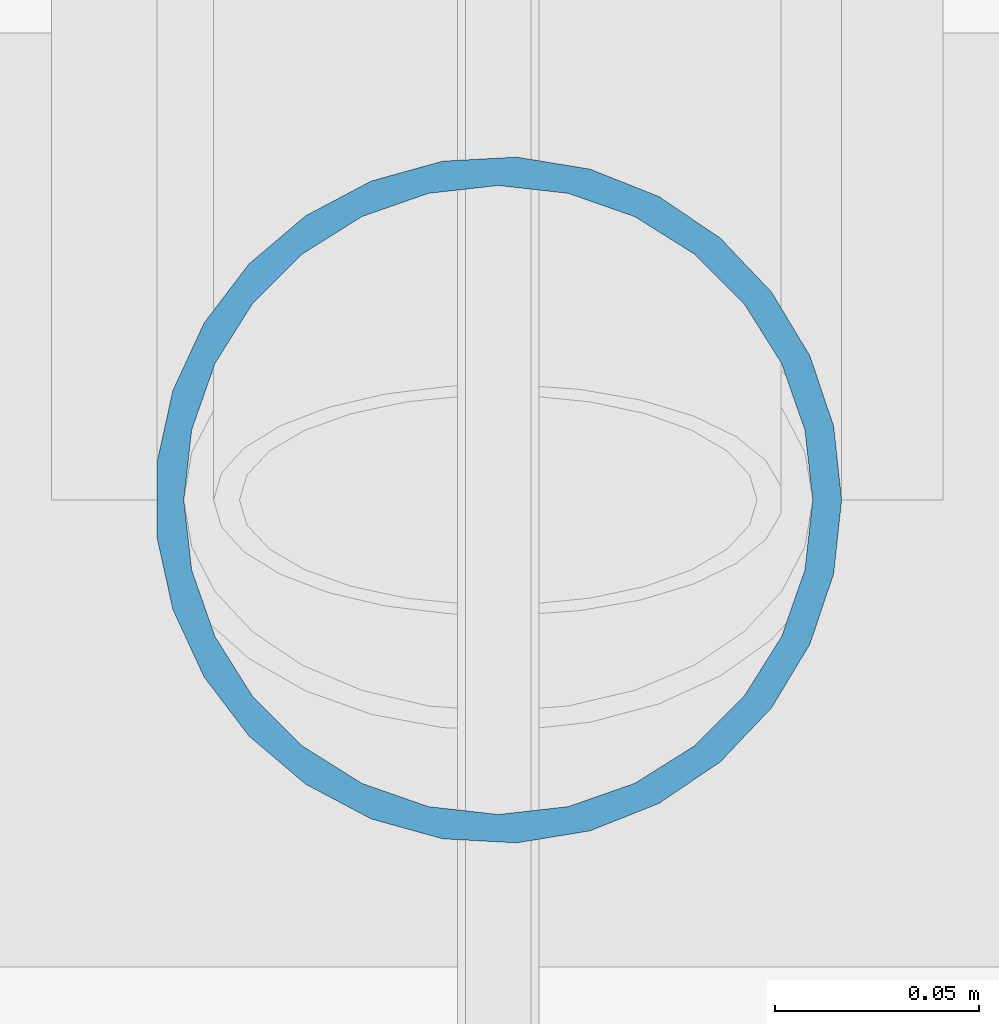
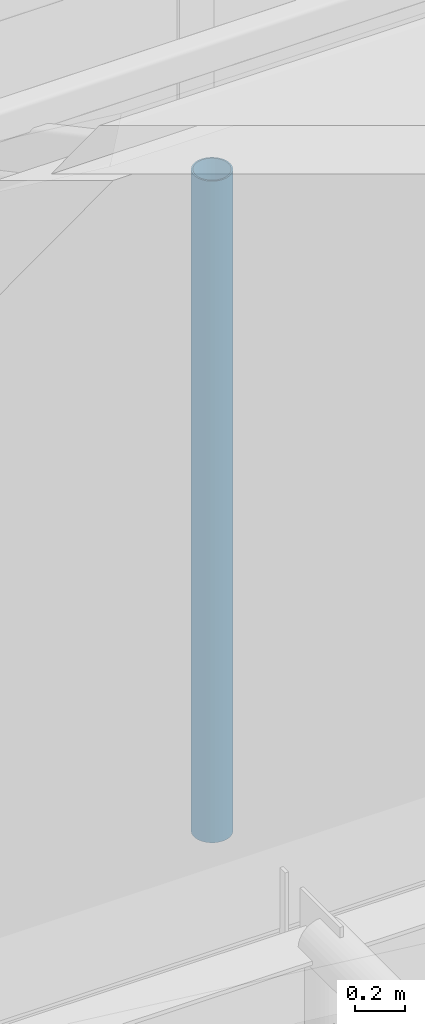
# One storey, part 21 of 66: 1 member.
"""IFC4 building model written with IfcOpenShell, lengths in metres."""

from ifc_helpers import new_model, si_unit, direction, frame, origin, origin_2d, place, context, subcontext, project, spatial, hollow_circle, extrude, material, material_profile, profile_set, type_object, element, save


model = new_model("IFC4")

# Units and contexts
model_context = context("Model", 3, precision=1e-05, world=origin(), true_north=direction((0.0, 1.0)))
body_context = subcontext(model_context, "Body", "Model", "MODEL_VIEW")
ifc_project = project(units=[si_unit("LENGTHUNIT", "METRE"), si_unit("AREAUNIT", "SQUARE_METRE"), si_unit("VOLUMEUNIT", "CUBIC_METRE"), si_unit("PLANEANGLEUNIT", "RADIAN"), si_unit("MASSUNIT", "GRAM", prefix="KILO")], contexts=[model_context])

# Site, building, storey
site_placement = place(None, origin())
site = spatial("IfcSite", under=ifc_project, at=site_placement, CompositionType="ELEMENT")
building_placement = place(site_placement, origin())
building = spatial("IfcBuilding", under=site, at=building_placement, Name="Tameran Prism Museum", CompositionType="ELEMENT")
storey_placement = place(building_placement, frame((0.0, 0.0, 19.800048828125)))
storey = spatial("IfcBuildingStorey", under=building, at=storey_placement, Name="L04", CompositionType="ELEMENT", Elevation=19.800048828125)

# Member
ifc_material = material(Name="Steel Grade C350L0 (350 MPa)", Category="steel")
ifc_material_profile = material_profile(ifc_material, hollow_circle(Radius=0.084228515625, WallThickness=0.007080078125, at=origin_2d()))
ifc_profile_set = profile_set([ifc_material_profile])
member_type = type_object("IfcMemberType", Name="MM-BR-CHS168", PredefinedType="BRACE", material=ifc_profile_set)
member_placement = place(storey_placement, frame((70.699951171875, 36.43994140625, 8.785888671875), z_axis=(0.0, 0.0, 1.0), x_axis=(1.0, 0.0, 0.0)))
element("IfcMember", 1, at=member_placement, inside=storey, type_object=member_type, Name="Sawtooth Brace STM-0199", PredefinedType="BRACE", context=body_context, shape_type="SweptSolid", body=[
    extrude(hollow_circle(Radius=0.084228515625, WallThickness=0.007080078125, at=origin_2d()), origin(), (0.0, 0.0, 1.0), 3.238037109375),
])

save(model, "model.ifc")
